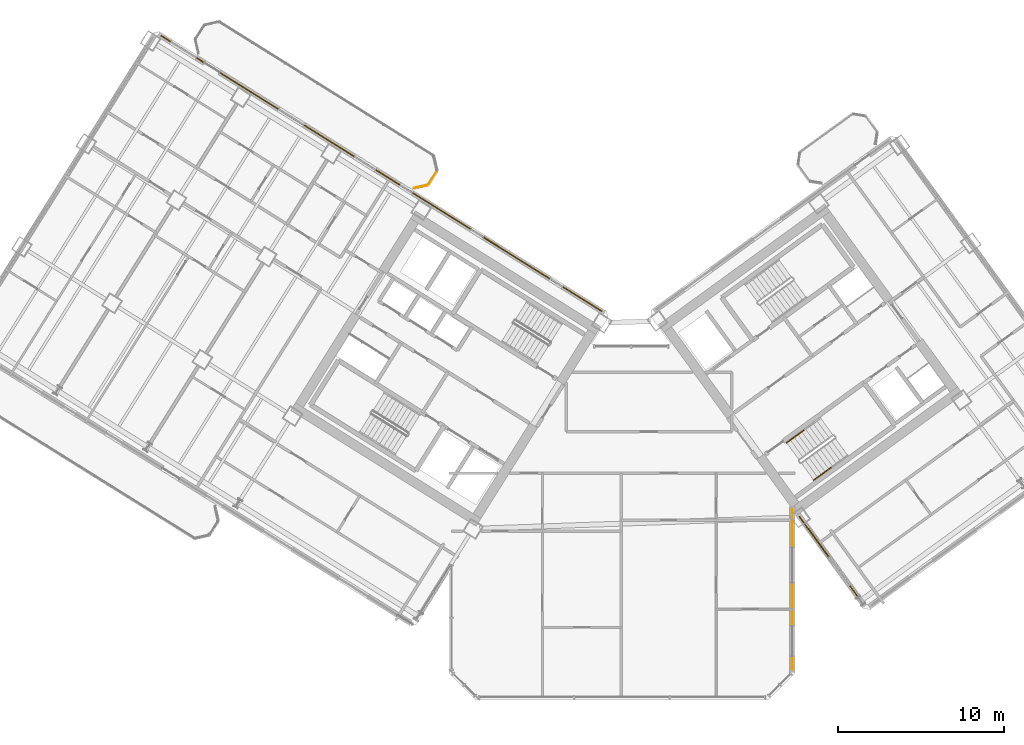
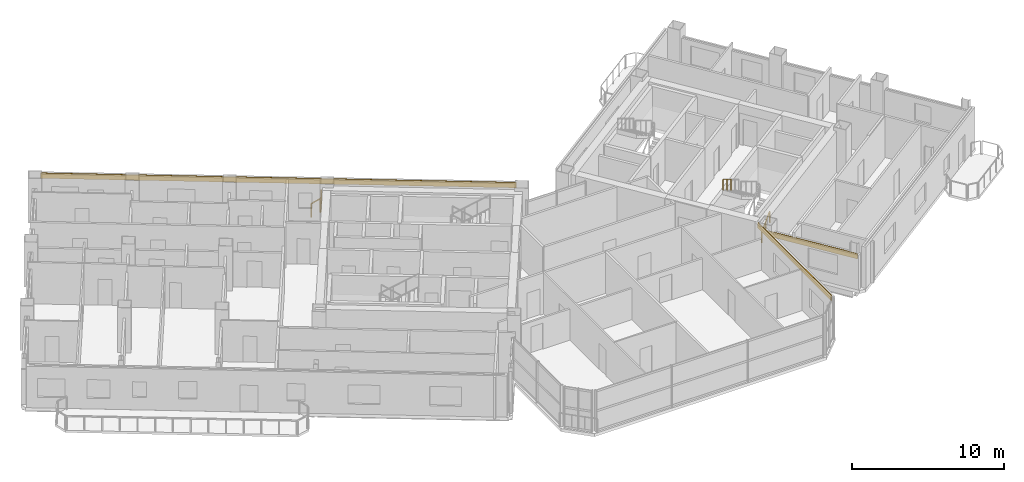
# One storey, part 26 of 29: 4 railings, 3 coverings.
"""IFC4 building model written with IfcOpenShell, lengths in metres."""

import ifcopenshell
import ifcopenshell.guid

model = None  # the IFC model being written
_history = None  # IfcOwnerHistory: only IFC2X3 demands one
_inside = {}  # id of a spatial element -> (the spatial element, [elements in it])
_under = {}  # id of a project, library or spatial element -> (it, [spatial elements below it])
_declared = {}  # id of a project -> (the project, [libraries it declares])
_typed = {}  # id of a type object -> (the type object, [elements of that type])
_made_of = {}  # id of a material, layer set ... -> (it, [elements and type objects made of it])


def new_model(schema):
    """Start an empty IFC model of exactly this schema.

    Asked for "IFC4X3", IfcOpenShell would pick the latest addendum, in which some entities
    have other attributes; the version numbers below select the first issue.
    IFC2X3 requires an IfcOwnerHistory on every rooted entity: one is made here for all.
    """
    global model, _history
    if schema == "IFC4X3":
        model = ifcopenshell.file(schema_version=(4, 3, 0, 0))
    else:
        model = ifcopenshell.file(schema=schema)
    _inside.clear()
    _under.clear()
    _declared.clear()
    _typed.clear()
    _made_of.clear()
    _history = None
    if model.schema == "IFC2X3":
        org = make("IfcOrganization", Name="unknown")
        user = make(
            "IfcPersonAndOrganization",
            ThePerson=make("IfcPerson", FamilyName="unknown"),
            TheOrganization=org,
        )
        app = make(
            "IfcApplication",
            ApplicationDeveloper=org,
            Version="unknown",
            ApplicationFullName="unknown",
            ApplicationIdentifier="unknown",
        )
        _history = make(
            "IfcOwnerHistory",
            OwningUser=user,
            OwningApplication=app,
            ChangeAction="ADDED",
            CreationDate=0,
        )
    return model


def make(cls, **values):
    """One entity of the class cls with the attributes given. An attribute that is None is left unset."""
    return model.create_entity(
        cls, **{name: value for name, value in values.items() if value is not None}
    )


def rooted(cls, **values):
    """An entity with a GlobalId (a new one), such as an element, a storey or a relation."""
    return make(cls, GlobalId=ifcopenshell.guid.new(), OwnerHistory=_history, **values)


def si_unit(unit_type, name, prefix=None):
    """IfcSIUnit, for example si_unit("LENGTHUNIT", "METRE", prefix="MILLI")."""
    return make("IfcSIUnit", UnitType=unit_type, Prefix=prefix, Name=name)


def assignment(units):
    """IfcUnitAssignment: the units of a project."""
    return None if units is None else make("IfcUnitAssignment", Units=units)


def point(xyz):
    """IfcCartesianPoint."""
    return None if xyz is None else make("IfcCartesianPoint", Coordinates=xyz)


def direction(xyz):
    """IfcDirection."""
    return None if xyz is None else make("IfcDirection", DirectionRatios=xyz)


def frame(location, z_axis=None, x_axis=None):
    """IfcAxis2Placement3D, a coordinate frame: its origin and axes. An axis left out is left unset."""
    return make(
        "IfcAxis2Placement3D",
        Location=point(location),
        Axis=direction(z_axis),
        RefDirection=direction(x_axis),
    )


def frame_2d(location, x_axis=None):
    """IfcAxis2Placement2D, a coordinate frame in the plane: its origin and x axis."""
    return make(
        "IfcAxis2Placement2D", Location=point(location), RefDirection=direction(x_axis)
    )


def origin():
    """The frame at (0, 0, 0) with its axes left unset."""
    return frame((0.0, 0.0, 0.0))


def origin_2d():
    """The frame at (0, 0) in the plane with its x axis left unset."""
    return frame_2d((0.0, 0.0))


def place(relative_to, where):
    """IfcLocalPlacement: puts the frame where relative to a parent placement (None: the world)."""
    return make(
        "IfcLocalPlacement", PlacementRelTo=relative_to, RelativePlacement=where
    )


def context(
    kind, dimensions, precision=None, world=None, true_north=None, identifier=None
):
    """IfcGeometricRepresentationContext, for example the 3D "Model" context."""
    return make(
        "IfcGeometricRepresentationContext",
        ContextIdentifier=identifier,
        ContextType=kind,
        CoordinateSpaceDimension=dimensions,
        Precision=precision,
        WorldCoordinateSystem=world,
        TrueNorth=true_north,
    )


def subcontext(parent, identifier, kind, view, scale=None):
    """IfcGeometricRepresentationSubContext, for example "Body" below "Model"."""
    return make(
        "IfcGeometricRepresentationSubContext",
        ContextIdentifier=identifier,
        ContextType=kind,
        ParentContext=parent,
        TargetScale=scale,
        TargetView=view,
    )


def project(units=None, contexts=None):
    """IfcProject with its units and contexts."""
    return rooted(
        "IfcProject",
        Name="project",
        RepresentationContexts=contexts,
        UnitsInContext=assignment(units),
    )


def spatial(cls, under=None, at=None, **own):
    """A site, building, storey or space (cls), placed at a placement, below another one or the project."""
    s = rooted(cls, ObjectPlacement=at, **own)
    if under is not None:
        _under.setdefault(under.id(), (under, []))[1].append(s)
    return s


def profile(cls, at=None, kind="AREA", **sizes):
    """A parametric profile (cls). Its sizes go by their IFC names, for example OverallWidth=200.0."""
    return make(cls, ProfileType=kind, Position=at, **sizes)


def rectangle(**sizes):
    """IfcRectangleProfileDef."""
    return profile("IfcRectangleProfileDef", **sizes)


def extrude(swept, where, along, depth):
    """IfcExtrudedAreaSolid: the profile swept, set in the frame where, extruded along a direction by depth."""
    return make(
        "IfcExtrudedAreaSolid",
        SweptArea=swept,
        Position=where,
        ExtrudedDirection=direction(along),
        Depth=depth,
    )


def shape(context_of_items, identifier, shape_type, items):
    """IfcShapeRepresentation: the items that make up one representation, for example the "Body"."""
    return make(
        "IfcShapeRepresentation",
        ContextOfItems=context_of_items,
        RepresentationIdentifier=identifier,
        RepresentationType=shape_type,
        Items=items,
    )


def source(mapping_origin, context_of_items, identifier, shape_type, items):
    """IfcRepresentationMap: a shape defined once, which mapped items show again and again."""
    return make(
        "IfcRepresentationMap",
        MappingOrigin=mapping_origin,
        MappedRepresentation=shape(context_of_items, identifier, shape_type, items),
    )


def transform(
    local_origin,
    x_axis=None,
    y_axis=None,
    z_axis=None,
    scale=None,
    scale2=None,
    scale3=None,
    uniform=True,
):
    """IfcCartesianTransformationOperator3D, or its non-uniform kind. x_axis, y_axis, z_axis: its Axis1, 2, 3."""
    if uniform:
        return make(
            "IfcCartesianTransformationOperator3D",
            Axis1=direction(x_axis),
            Axis2=direction(y_axis),
            LocalOrigin=point(local_origin),
            Scale=scale,
            Axis3=direction(z_axis),
        )
    return make(
        "IfcCartesianTransformationOperator3DnonUniform",
        Axis1=direction(x_axis),
        Axis2=direction(y_axis),
        LocalOrigin=point(local_origin),
        Scale=scale,
        Axis3=direction(z_axis),
        Scale2=scale2,
        Scale3=scale3,
    )


def mapped(mapping_source, mapping_target):
    """IfcMappedItem: shows the shape of a source again, moved by a transform."""
    return make(
        "IfcMappedItem", MappingSource=mapping_source, MappingTarget=mapping_target
    )


def material(Name=None, Category=None):
    """IfcMaterial."""
    return make("IfcMaterial", Name=Name, Category=Category)


def layer(
    of_material, thickness, ventilated=None, Name=None, Category=None, Priority=None
):
    """IfcMaterialLayer: one layer of a wall or slab, of a material (None: an air gap)."""
    return make(
        "IfcMaterialLayer",
        Material=of_material,
        LayerThickness=thickness,
        IsVentilated=ventilated,
        Name=Name,
        Category=Category,
        Priority=Priority,
    )


def layer_set(layers, Name=None):
    """IfcMaterialLayerSet."""
    return make("IfcMaterialLayerSet", MaterialLayers=layers, LayerSetName=Name)


def made_of(thing, what):
    """Note that an element or type object is made of a material, layer set ...; save() writes the relation."""
    if what is not None:
        _made_of.setdefault(what.id(), (what, []))[1].append(thing)
    return thing


def type_object(cls, material=None, **own):
    """A type object (cls), such as IfcWallType, which elements share."""
    return made_of(rooted(cls, **own), material)


def element(
    cls,
    number,
    at=None,
    inside=None,
    cuts=None,
    type_object=None,
    material=None,
    context=None,
    identifier="Body",
    shape_type=None,
    held_by="IfcProductDefinitionShape",
    body=None,
    shapes=None,
    **own,
):
    """One element of the class cls, such as IfcWall. Its Tag is "e" and its number.

    at: its placement. inside: the storey or other place that contains it. cuts: it is an
    opening in that element (IfcRelVoidsElement). A single representation is given by context,
    identifier, shape_type and body (its items); several are given by shapes. held_by: the class
    of the entity that holds the representations. save() writes the other relations.
    """
    e = rooted(cls, Tag="e%d" % number, ObjectPlacement=at, **own)
    if body is not None:
        shapes = [shape(context, identifier, shape_type, body)]
    if shapes is not None:
        e.Representation = make(held_by, Representations=shapes)
    if inside is not None:
        _inside.setdefault(inside.id(), (inside, []))[1].append(e)
    if cuts is not None:
        rooted(
            "IfcRelVoidsElement", RelatingBuildingElement=cuts, RelatedOpeningElement=e
        )
    if type_object is not None:
        _typed.setdefault(type_object.id(), (type_object, []))[1].append(e)
    return made_of(e, material)


def aggregate(whole, parts):
    """IfcRelAggregates: a whole, such as a stair, and the parts it consists of."""
    return rooted("IfcRelAggregates", RelatingObject=whole, RelatedObjects=parts)


def save(model, path):
    """Write the relations noted so far, then the file.

    IfcRelAggregates (storeys below a building ...), IfcRelContainedInSpatialStructure (elements
    in a storey), IfcRelDefinesByType, IfcRelAssociatesMaterial and IfcRelDeclares: one each for
    every whole, place, type object, material and project.
    """
    for whole, parts in _under.values():
        aggregate(whole, parts)
    for where, things in _inside.values():
        rooted(
            "IfcRelContainedInSpatialStructure",
            RelatedElements=things,
            RelatingStructure=where,
        )
    for kind, things in _typed.values():
        rooted("IfcRelDefinesByType", RelatedObjects=things, RelatingType=kind)
    for what, things in _made_of.values():
        rooted("IfcRelAssociatesMaterial", RelatedObjects=things, RelatingMaterial=what)
    for by, libraries in _declared.values():
        rooted("IfcRelDeclares", RelatingContext=by, RelatedDefinitions=libraries)
    model.write(path)


model = new_model("IFC4")

# Units and contexts
model_context = context("Model", 3, precision=1e-05, world=origin(), true_north=direction((0.0, 1.0)))
body_context = subcontext(model_context, "Body", "Model", "MODEL_VIEW")
ifc_project = project(units=[si_unit("LENGTHUNIT", "METRE"), si_unit("AREAUNIT", "SQUARE_METRE"), si_unit("VOLUMEUNIT", "CUBIC_METRE"), si_unit("PLANEANGLEUNIT", "RADIAN"), si_unit("MASSUNIT", "GRAM", prefix="KILO")], contexts=[model_context])

# Site, building, storey
site_placement = place(None, origin())
site = spatial("IfcSite", under=ifc_project, at=site_placement, CompositionType="ELEMENT")
building_placement = place(site_placement, origin())
building = spatial("IfcBuilding", under=site, at=building_placement, Name="Tlacorven Tower", CompositionType="ELEMENT")
storey_placement = place(building_placement, frame((0.0, 0.0, 165.89990234375)))
storey = spatial("IfcBuildingStorey", under=building, at=storey_placement, Name="L42", CompositionType="ELEMENT", Elevation=165.89990234375)

# Railings
ifc_material_1 = material(Name="Aluminium and painted steel balustrade", Category="steel")
railing_type_1 = type_object("IfcRailingType", Name="RL-BAL-1100", PredefinedType="BALUSTRADE", material=ifc_material_1)
shared_shape_1 = source(origin(), body_context, "Body", "SweptSolid", [
    extrude(rectangle(XDim=0.048095703125, YDim=0.048095703125, at=origin_2d()), frame((0.0, 0.0, 1.076171875), z_axis=(-0.52987865805, -0.848073468364, 0.0), x_axis=(0.848073468364, -0.52987865805, 0.0)), (0.0, 0.0, 1.0), 0.912353515625),
    extrude(rectangle(XDim=0.0419921875, YDim=0.0419921875, at=origin_2d()), origin(), (0.0, 0.0, 1.0), 1.052001953125),
    extrude(rectangle(XDim=0.0419921875, YDim=0.0419921875, at=origin_2d()), frame((-0.4833984375, -0.773681640625, 0.0)), (0.0, 0.0, 1.0), 1.052001953125),
])
railing_1_placement = place(storey_placement, frame((30.845947265625, 33.588623046875, 0.0)))
element("IfcRailing", 1, at=railing_1_placement, inside=storey, type_object=railing_type_1, Name="BAL-L42-W-IN Guard Railing 2", PredefinedType="BALUSTRADE", context=body_context, shape_type="MappedRepresentation", body=[
    mapped(shared_shape_1, transform((0.0, 0.0, 0.0), scale=1.0)),
])
shared_shape_2 = source(origin(), body_context, "Body", "SweptSolid", [
    extrude(rectangle(XDim=0.048095703125, YDim=0.048095703125, at=origin_2d()), frame((0.0, 0.0, 1.076171875), z_axis=(-0.974345290916, -0.225058334816, 0.0), x_axis=(0.225058334816, -0.974345290916, 0.0)), (0.0, 0.0, 1.0), 0.80712890625),
    extrude(rectangle(XDim=0.0419921875, YDim=0.0419921875, at=origin_2d()), origin(), (0.0, 0.0, 1.0), 1.052001953125),
    extrude(rectangle(XDim=0.0419921875, YDim=0.0419921875, at=origin_2d()), frame((-0.786376953125, -0.181640625, 0.0)), (0.0, 0.0, 1.0), 1.052001953125),
])
railing_2_placement = place(storey_placement, frame((30.287353515625, 32.761474609375, 0.0)))
element("IfcRailing", 2, at=railing_2_placement, inside=storey, type_object=railing_type_1, Name="BAL-L42-W-IN Guard Railing 3", PredefinedType="BALUSTRADE", context=body_context, shape_type="MappedRepresentation", body=[
    mapped(shared_shape_2, transform((0.0, 0.0, 0.0), scale=1.0)),
])

# Coverings
ifc_material_2 = material(Name="Precast concrete C45/55", Category="concrete")
ifc_layer = layer(ifc_material_2, 0.06005859375)
ifc_layer_set = layer_set([ifc_layer], Name="Precast concrete C45/55")
covering_type = type_object("IfcCoveringType", Name="CV-CLD-TERC", PredefinedType="CLADDING", material=ifc_layer_set)
shared_shape_3 = source(origin(), body_context, "Body", "SweptSolid", [
    extrude(rectangle(XDim=31.287353515625, YDim=0.06005859375, at=origin_2d()), origin(), (0.0, 0.0, 1.0), 0.419921875),
])
covering_1_placement = place(storey_placement, frame((27.5322265625, 33.455810546875, 2.900146484375), z_axis=(0.0, 0.0, 1.0), x_axis=(0.84804812172, -0.529919223323, 0.0)))
element("IfcCovering", 3, at=covering_1_placement, inside=storey, type_object=covering_type, Name="L42 Masonry-Frame Spandrel Cladding 3", PredefinedType="CLADDING", context=body_context, shape_type="MappedRepresentation", body=[
    mapped(shared_shape_3, transform((0.0, 0.0, 0.0), scale=1.0)),
])
shared_shape_4 = source(origin(), body_context, "Body", "SweptSolid", [
    extrude(rectangle(XDim=9.647705078125, YDim=0.06005859375, at=origin_2d()), origin(), (0.0, 0.0, 1.0), 0.419921875),
])
covering_2_placement = place(storey_placement, frame((52.239990234375, 8.440185546875, 2.900146484375), z_axis=(0.0, 0.0, 1.0), x_axis=(0.0, -1.0, 0.0)))
element("IfcCovering", 4, at=covering_2_placement, inside=storey, type_object=covering_type, Name="L42 Masonry-Frame Spandrel Cladding 8", PredefinedType="CLADDING", context=body_context, shape_type="MappedRepresentation", body=[
    mapped(shared_shape_4, transform((0.0, 0.0, 0.0), scale=1.0)),
])
shared_shape_5 = source(origin(), body_context, "Body", "SweptSolid", [
    extrude(rectangle(XDim=6.523681640625, YDim=0.06005859375, at=origin_2d()), origin(), (0.0, 0.0, 1.0), 0.419921875),
])
covering_3_placement = place(storey_placement, frame((54.57568359375, 10.19921875, 2.375244140625), z_axis=(0.0, 0.0, 1.0), x_axis=(-0.587785622053, 0.809016725728, 0.0)))
element("IfcCovering", 5, at=covering_3_placement, inside=storey, type_object=covering_type, Name="L42 Masonry-Frame Spandrel Cladding 7", PredefinedType="CLADDING", context=body_context, shape_type="MappedRepresentation", body=[
    mapped(shared_shape_5, transform((0.0, 0.0, 0.0), scale=1.0)),
])

# Railings
railing_type_2 = type_object("IfcRailingType", Name="RL-HND-0900", PredefinedType="HANDRAIL", material=ifc_material_1)
shared_shape_6 = source(origin(), body_context, "Body", "SweptSolid", [
    extrude(rectangle(XDim=0.048095703125, YDim=0.048095703125, at=origin_2d()), frame((0.0, 0.0, 0.8759765625), z_axis=(-0.680461216233, -0.494495647917, 0.540783309093), x_axis=(0.587872112667, -0.808953879494, 0.0)), (0.0, 0.0, 1.0), 1.498046875),
    extrude(rectangle(XDim=0.0419921875, YDim=0.0419921875, at=origin_2d()), origin(), (0.0, 0.0, 1.0), 0.851806640625),
    extrude(rectangle(XDim=0.0419921875, YDim=0.0419921875, at=origin_2d()), frame((-0.509765625, -0.370361328125, 0.405029296875)), (0.0, 0.0, 1.0), 0.851806640625),
    extrude(rectangle(XDim=0.0419921875, YDim=0.0419921875, at=origin_2d()), frame((-1.019287109375, -0.74072265625, 0.81005859375)), (0.0, 0.0, 1.0), 0.851806640625),
])
railing_3_placement = place(storey_placement, frame((52.9189453125, 18.0087890625, 2.7900390625)))
element("IfcRailing", 6, at=railing_3_placement, inside=storey, type_object=railing_type_2, Name="L42 ST-E2 stair handrail 4", PredefinedType="HANDRAIL", context=body_context, shape_type="MappedRepresentation", body=[
    mapped(shared_shape_6, transform((0.0, 0.0, 0.0), scale=1.0)),
])
shared_shape_7 = source(origin(), body_context, "Body", "SweptSolid", [
    extrude(rectangle(XDim=0.048095703125, YDim=0.048095703125, at=origin_2d()), frame((0.0, 0.0, 0.8759765625), z_axis=(0.680521190579, 0.494539231669, 0.540667973449), x_axis=(-0.587872112667, 0.808953879494, 0.0)), (0.0, 0.0, 1.0), 1.497802734375),
    extrude(rectangle(XDim=0.0419921875, YDim=0.0419921875, at=origin_2d()), origin(), (0.0, 0.0, 1.0), 0.851806640625),
    extrude(rectangle(XDim=0.0419921875, YDim=0.0419921875, at=origin_2d()), frame((0.509765625, 0.370361328125, 0.40478515625)), (0.0, 0.0, 1.0), 0.851806640625),
    extrude(rectangle(XDim=0.0419921875, YDim=0.0419921875, at=origin_2d()), frame((1.019287109375, 0.74072265625, 0.809814453125)), (0.0, 0.0, 1.0), 0.851806640625),
])
railing_4_placement = place(storey_placement, frame((53.53369140625, 15.01904296875, 0.18017578125)))
element("IfcRailing", 7, at=railing_4_placement, inside=storey, type_object=railing_type_2, Name="L42 ST-E2 stair handrail 1", PredefinedType="HANDRAIL", context=body_context, shape_type="MappedRepresentation", body=[
    mapped(shared_shape_7, transform((0.0, 0.0, 0.0), scale=1.0)),
])

save(model, "model.ifc")
